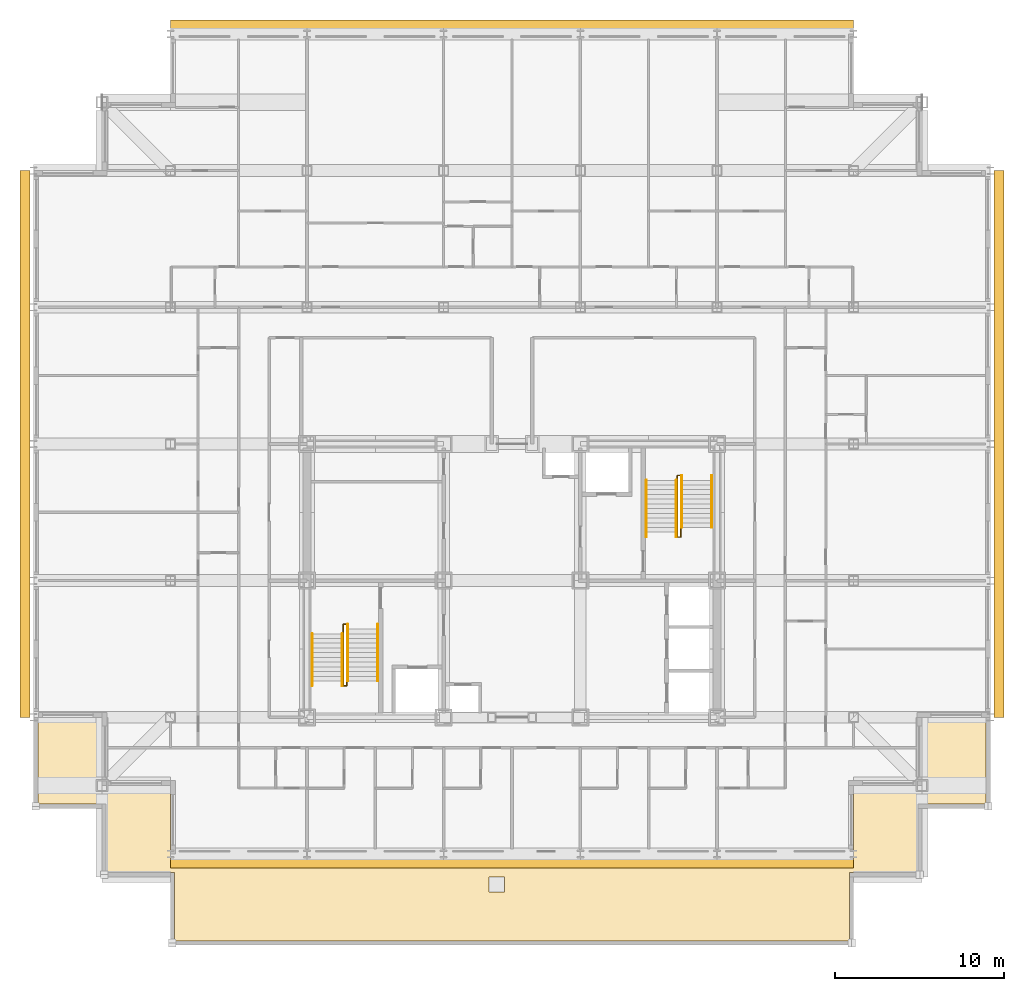
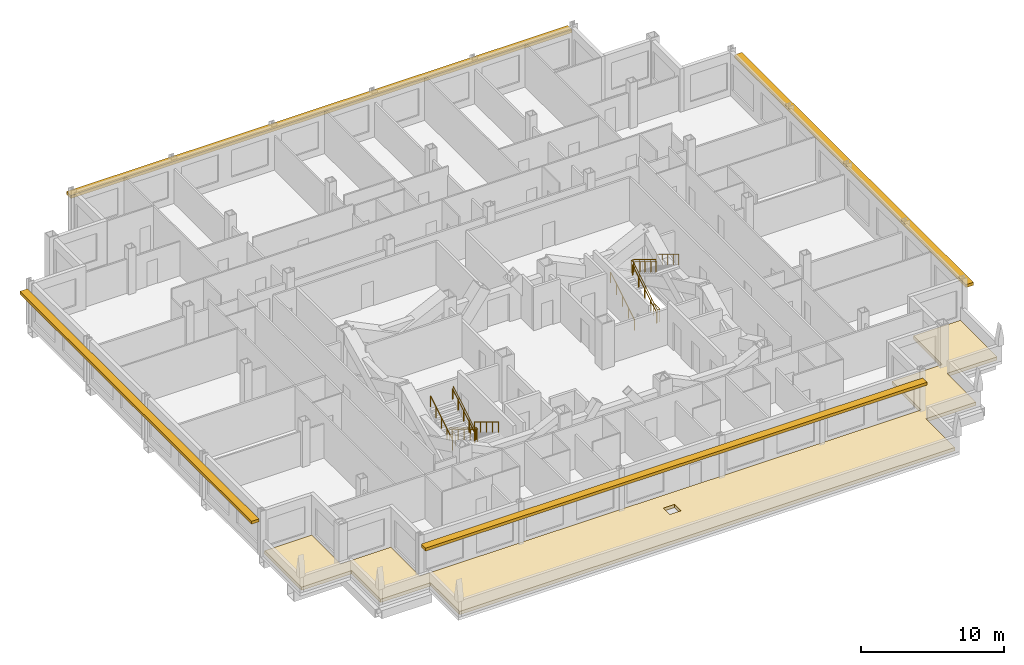
# One storey, part 15 of 15: 10 railings, 4 shading devices, 1 covering.
"""IFC4 building model written with IfcOpenShell, lengths in metres."""

from ifc_helpers import new_model, si_unit, direction, frame, origin, origin_2d, place, context, subcontext, project, spatial, polyline, rectangle, circle, outline, extrude, material, layer, layer_set, type_object, element, save


model = new_model("IFC4")

# Units and contexts
model_context = context("Model", 3, precision=1e-05, world=origin(), true_north=direction((0.0, 1.0)))
body_context = subcontext(model_context, "Body", "Model", "MODEL_VIEW")
ifc_project = project(units=[si_unit("LENGTHUNIT", "METRE"), si_unit("AREAUNIT", "SQUARE_METRE"), si_unit("VOLUMEUNIT", "CUBIC_METRE"), si_unit("PLANEANGLEUNIT", "RADIAN"), si_unit("MASSUNIT", "GRAM", prefix="KILO")], contexts=[model_context])

# Site, building, storey
site_placement = place(None, origin())
site = spatial("IfcSite", under=ifc_project, at=site_placement, CompositionType="ELEMENT")
building_placement = place(site_placement, origin())
building = spatial("IfcBuilding", under=site, at=building_placement, Name="Kopane Lantern Tower", CompositionType="ELEMENT")
storey_placement = place(building_placement, frame((0.0, 0.0, 242.39990234375)))
storey = spatial("IfcBuildingStorey", under=building, at=storey_placement, Name="L62", CompositionType="ELEMENT", Elevation=242.39990234375)

# Covering
ifc_material_1 = material(Name="Bitumen membrane and extruded polystyrene insulation", Category="bitumen")
ifc_layer = layer(ifc_material_1, 0.280029296875)
ifc_layer_set = layer_set([ifc_layer], Name="ROOF FINISH RF1 INVERTED 280")
covering_type = type_object("IfcCoveringType", Name="ROOF FINISH RF1 INVERTED 280", PredefinedType="ROOFING", material=ifc_layer_set)
covering_placement = place(storey_placement, origin())
element("IfcCovering", 1, at=covering_placement, inside=storey, type_object=covering_type, Name="Roof finish L62", PredefinedType="ROOFING", context=body_context, shape_type="SweptSolid", body=[
    extrude(outline(polyline([(4.050048828125, 24.300048828125), (0.25, 24.300048828125), (0.25, 19.14990234375), (4.300048828125, 19.14990234375), (4.300048828125, 15.10009765625), (8.35009765625, 15.10009765625), (8.35009765625, 11.050048828125), (48.35009765625, 11.050048828125), (48.35009765625, 15.10009765625), (52.39990234375, 15.10009765625), (52.39990234375, 19.14990234375), (56.449951171875, 19.14990234375), (56.449951171875, 24.300048828125), (52.64990234375, 24.300048828125), (52.64990234375, 20.25), (48.60009765625, 20.25), (48.60009765625, 16.199951171875), (8.10009765625, 16.199951171875), (8.10009765625, 20.25), (4.050048828125, 20.25), (4.050048828125, 24.300048828125)]), holes=[polyline([(27.89990234375, 14.85009765625), (27.89990234375, 13.949951171875), (27.0, 13.949951171875), (27.0, 14.85009765625), (27.89990234375, 14.85009765625)])]), origin(), (0.0, 0.0, 1.0), 0.280029296875),
])

# Railings
ifc_material_2 = material(Name="Steel", Category="steel")
railing_type_1 = type_object("IfcRailingType", Name="STAIR GUARD 1100", PredefinedType="GUARDRAIL", material=ifc_material_2)
railing_1_placement = place(storey_placement, frame((18.35009765625, 28.969970703125, 0.0)))
element("IfcRailing", 2, at=railing_1_placement, inside=storey, type_object=railing_type_1, Name="ST1 well guard L62", PredefinedType="GUARDRAIL", context=body_context, shape_type="SweptSolid", body=[
    extrude(circle(Radius=0.02392578125, at=origin_2d()), frame((0.0, 0.0, 1.076171875), z_axis=(0.0, 1.0, 0.0), x_axis=(-1.0, 0.0, 0.0)), (0.0, 0.0, 1.0), 0.840087890625),
    extrude(circle(Radius=0.02392578125, at=origin_2d()), frame((0.0, 0.840087890625, 1.076171875), z_axis=(1.0, 0.0, 0.0), x_axis=(0.0, 1.0, 0.0)), (0.0, 0.0, 1.0), 0.199951171875),
    extrude(circle(Radius=0.02392578125, at=origin_2d()), frame((0.199951171875, 0.840087890625, 1.076171875), z_axis=(0.0, -0.855368916264, 0.518019321155), x_axis=(1.0, 0.0, 0.0)), (0.0, 0.0, 1.0), 3.92822265625),
    extrude(circle(Radius=0.02392578125, at=origin_2d()), frame((0.199951171875, -2.52001953125, 3.11083984375), z_axis=(0.0, -1.0, 0.0), x_axis=(1.0, 0.0, 0.0)), (0.0, 0.0, 1.0), 0.280029296875),
    extrude(circle(Radius=0.02392578125, at=origin_2d()), frame((0.199951171875, -2.800048828125, 3.11083984375), z_axis=(-1.0, 0.0, 0.0), x_axis=(0.0, -1.0, 0.0)), (0.0, 0.0, 1.0), 0.199951171875),
    extrude(circle(Radius=0.02392578125, at=origin_2d()), frame((0.0, -2.800048828125, 3.11083984375), z_axis=(0.0, 0.855379917629, 0.518001154937), x_axis=(-1.0, 0.0, 0.0)), (0.0, 0.0, 1.0), 3.600830078125),
    extrude(circle(Radius=0.02099609375, at=origin_2d()), origin(), (0.0, 0.0, 1.0), 1.052001953125),
    extrude(circle(Radius=0.02099609375, at=origin_2d()), frame((0.0, 0.840087890625, 0.0)), (0.0, 0.0, 1.0), 1.052001953125),
    extrude(circle(Radius=0.02099609375, at=origin_2d()), frame((0.199951171875, 0.840087890625, 0.0)), (0.0, 0.0, 1.0), 1.052001953125),
    extrude(circle(Radius=0.02099609375, at=origin_2d()), frame((0.199951171875, 0.0, 0.5087890625)), (0.0, 0.0, 1.0), 1.052001953125),
    extrude(circle(Radius=0.02099609375, at=origin_2d()), frame((0.199951171875, -0.83984375, 1.017578125)), (0.0, 0.0, 1.0), 1.052001953125),
    extrude(circle(Radius=0.02099609375, at=origin_2d()), frame((0.199951171875, -1.679931640625, 1.526123046875)), (0.0, 0.0, 1.0), 1.052001953125),
    extrude(circle(Radius=0.02099609375, at=origin_2d()), frame((0.199951171875, -2.52001953125, 2.034912109375)), (0.0, 0.0, 1.0), 1.052001953125),
    extrude(circle(Radius=0.02099609375, at=origin_2d()), frame((0.199951171875, -2.800048828125, 2.034912109375)), (0.0, 0.0, 1.0), 1.052001953125),
    extrude(circle(Radius=0.02099609375, at=origin_2d()), frame((0.0, -2.800048828125, 2.034912109375)), (0.0, 0.0, 1.0), 1.052001953125),
    extrude(circle(Radius=0.02099609375, at=origin_2d()), frame((0.0, -2.030029296875, 2.501220703125)), (0.0, 0.0, 1.0), 1.052001953125),
    extrude(circle(Radius=0.02099609375, at=origin_2d()), frame((0.0, -1.260009765625, 2.967529296875)), (0.0, 0.0, 1.0), 1.052001953125),
    extrude(circle(Radius=0.02099609375, at=origin_2d()), frame((0.0, -0.489990234375, 3.433837890625)), (0.0, 0.0, 1.0), 1.052001953125),
    extrude(circle(Radius=0.02099609375, at=origin_2d()), frame((0.0, 0.280029296875, 3.900146484375)), (0.0, 0.0, 1.0), 1.052001953125),
])
railing_2_placement = place(storey_placement, frame((38.35009765625, 35.830078125, 0.0)))
element("IfcRailing", 3, at=railing_2_placement, inside=storey, type_object=railing_type_1, Name="ST2 well guard L62", PredefinedType="GUARDRAIL", context=body_context, shape_type="SweptSolid", body=[
    extrude(circle(Radius=0.02392578125, at=origin_2d()), frame((0.0, 0.0, 1.076171875), z_axis=(0.0, -1.0, 0.0), x_axis=(1.0, 0.0, 0.0)), (0.0, 0.0, 1.0), 0.840087890625),
    extrude(circle(Radius=0.02392578125, at=origin_2d()), frame((0.0, -0.840087890625, 1.076171875), z_axis=(-1.0, 0.0, 0.0), x_axis=(0.0, -1.0, 0.0)), (0.0, 0.0, 1.0), 0.2001953125),
    extrude(circle(Radius=0.02392578125, at=origin_2d()), frame((-0.2001953125, -0.840087890625, 1.076171875), z_axis=(0.0, 0.855368916264, 0.518019321155), x_axis=(-1.0, 0.0, 0.0)), (0.0, 0.0, 1.0), 3.92822265625),
    extrude(circle(Radius=0.02392578125, at=origin_2d()), frame((-0.2001953125, 2.52001953125, 3.11083984375), z_axis=(0.0, 1.0, 0.0), x_axis=(-1.0, 0.0, 0.0)), (0.0, 0.0, 1.0), 0.27978515625),
    extrude(circle(Radius=0.02392578125, at=origin_2d()), frame((-0.2001953125, 2.7998046875, 3.11083984375), z_axis=(1.0, 0.0, 0.0), x_axis=(0.0, 1.0, 0.0)), (0.0, 0.0, 1.0), 0.2001953125),
    extrude(circle(Radius=0.02392578125, at=origin_2d()), frame((0.0, 2.7998046875, 3.11083984375), z_axis=(0.0, -0.855361723277, 0.518031198243), x_axis=(1.0, 0.0, 0.0)), (0.0, 0.0, 1.0), 3.6005859375),
    extrude(circle(Radius=0.02099609375, at=origin_2d()), origin(), (0.0, 0.0, 1.0), 1.052001953125),
    extrude(circle(Radius=0.02099609375, at=origin_2d()), frame((0.0, -0.840087890625, 0.0)), (0.0, 0.0, 1.0), 1.052001953125),
    extrude(circle(Radius=0.02099609375, at=origin_2d()), frame((-0.2001953125, -0.840087890625, 0.0)), (0.0, 0.0, 1.0), 1.052001953125),
    extrude(circle(Radius=0.02099609375, at=origin_2d()), frame((-0.2001953125, 0.0, 0.5087890625)), (0.0, 0.0, 1.0), 1.052001953125),
    extrude(circle(Radius=0.02099609375, at=origin_2d()), frame((-0.2001953125, 0.83984375, 1.017578125)), (0.0, 0.0, 1.0), 1.052001953125),
    extrude(circle(Radius=0.02099609375, at=origin_2d()), frame((-0.2001953125, 1.679931640625, 1.526123046875)), (0.0, 0.0, 1.0), 1.052001953125),
    extrude(circle(Radius=0.02099609375, at=origin_2d()), frame((-0.2001953125, 2.52001953125, 2.034912109375)), (0.0, 0.0, 1.0), 1.052001953125),
    extrude(circle(Radius=0.02099609375, at=origin_2d()), frame((-0.2001953125, 2.7998046875, 2.034912109375)), (0.0, 0.0, 1.0), 1.052001953125),
    extrude(circle(Radius=0.02099609375, at=origin_2d()), frame((0.0, 2.7998046875, 2.034912109375)), (0.0, 0.0, 1.0), 1.052001953125),
    extrude(circle(Radius=0.02099609375, at=origin_2d()), frame((0.0, 2.02978515625, 2.501220703125)), (0.0, 0.0, 1.0), 1.052001953125),
    extrude(circle(Radius=0.02099609375, at=origin_2d()), frame((0.0, 1.259765625, 2.967529296875)), (0.0, 0.0, 1.0), 1.052001953125),
    extrude(circle(Radius=0.02099609375, at=origin_2d()), frame((0.0, 0.489990234375, 3.433837890625)), (0.0, 0.0, 1.0), 1.052001953125),
    extrude(circle(Radius=0.02099609375, at=origin_2d()), frame((0.0, -0.280029296875, 3.900146484375)), (0.0, 0.0, 1.0), 1.052001953125),
])
ifc_material_3 = material(Name="Steel", Category="steel")
railing_type_2 = type_object("IfcRailingType", Name="STAIR HANDRAIL 900", PredefinedType="HANDRAIL", material=ifc_material_3)
for number, where, name in (
    (4, (20.389892578125, 29.81005859375, 0.0), "ST1 handrail L62 flight 1"),
    (5, (18.610107421875, 29.81005859375, 0.0), "ST1 handrail L62 flight 1"),
):
    element("IfcRailing", number, at=place(storey_placement, frame(where)), inside=storey, type_object=railing_type_2, Name=name, PredefinedType="HANDRAIL", context=body_context, shape_type="SweptSolid", body=[
        extrude(circle(Radius=0.02392578125, at=origin_2d()), frame((0.0, 0.0, 0.8759765625), z_axis=(0.0, -0.855368916264, 0.518019321155), x_axis=(1.0, 0.0, 0.0)), (0.0, 0.0, 1.0), 3.92822265625),
        extrude(circle(Radius=0.02099609375, at=origin_2d()), origin(), (0.0, 0.0, 1.0), 0.851806640625),
        extrude(circle(Radius=0.02099609375, at=origin_2d()), frame((0.0, -0.840087890625, 0.5087890625)), (0.0, 0.0, 1.0), 0.851806640625),
        extrude(circle(Radius=0.02099609375, at=origin_2d()), frame((0.0, -1.68017578125, 1.017578125)), (0.0, 0.0, 1.0), 0.851806640625),
        extrude(circle(Radius=0.02099609375, at=origin_2d()), frame((0.0, -2.52001953125, 1.526123046875)), (0.0, 0.0, 1.0), 0.851806640625),
        extrude(circle(Radius=0.02099609375, at=origin_2d()), frame((0.0, -3.360107421875, 2.034912109375)), (0.0, 0.0, 1.0), 0.851806640625),
    ])
for number, where, name in (
    (6, (16.510009765625, 26.169921875, 2.034912109375), "ST1 handrail L62 flight 2"),
    (7, (18.2900390625, 26.169921875, 2.034912109375), "ST1 handrail L62 flight 2"),
):
    element("IfcRailing", number, at=place(storey_placement, frame(where)), inside=storey, type_object=railing_type_2, Name=name, PredefinedType="HANDRAIL", context=body_context, shape_type="SweptSolid", body=[
        extrude(circle(Radius=0.02392578125, at=origin_2d()), frame((0.0, 0.0, 0.8759765625), z_axis=(0.0, 0.855379917629, 0.518001154937), x_axis=(-1.0, 0.0, 0.0)), (0.0, 0.0, 1.0), 3.600830078125),
        extrude(circle(Radius=0.02099609375, at=origin_2d()), origin(), (0.0, 0.0, 1.0), 0.851806640625),
        extrude(circle(Radius=0.02099609375, at=origin_2d()), frame((0.0, 0.77001953125, 0.46630859375)), (0.0, 0.0, 1.0), 0.851806640625),
        extrude(circle(Radius=0.02099609375, at=origin_2d()), frame((0.0, 1.5400390625, 0.9326171875)), (0.0, 0.0, 1.0), 0.851806640625),
        extrude(circle(Radius=0.02099609375, at=origin_2d()), frame((0.0, 2.31005859375, 1.39892578125)), (0.0, 0.0, 1.0), 0.851806640625),
        extrude(circle(Radius=0.02099609375, at=origin_2d()), frame((0.0, 3.080078125, 1.865234375)), (0.0, 0.0, 1.0), 0.851806640625),
    ])
for number, where, name in (
    (8, (36.31005859375, 34.989990234375, 0.0), "ST2 handrail L62 flight 1"),
    (9, (38.090087890625, 34.989990234375, 0.0), "ST2 handrail L62 flight 1"),
):
    element("IfcRailing", number, at=place(storey_placement, frame(where)), inside=storey, type_object=railing_type_2, Name=name, PredefinedType="HANDRAIL", context=body_context, shape_type="SweptSolid", body=[
        extrude(circle(Radius=0.02392578125, at=origin_2d()), frame((0.0, 0.0, 0.8759765625), z_axis=(0.0, 0.855368916264, 0.518019321155), x_axis=(-1.0, 0.0, 0.0)), (0.0, 0.0, 1.0), 3.92822265625),
        extrude(circle(Radius=0.02099609375, at=origin_2d()), origin(), (0.0, 0.0, 1.0), 0.851806640625),
        extrude(circle(Radius=0.02099609375, at=origin_2d()), frame((0.0, 0.840087890625, 0.5087890625)), (0.0, 0.0, 1.0), 0.851806640625),
        extrude(circle(Radius=0.02099609375, at=origin_2d()), frame((0.0, 1.68017578125, 1.017578125)), (0.0, 0.0, 1.0), 0.851806640625),
        extrude(circle(Radius=0.02099609375, at=origin_2d()), frame((0.0, 2.52001953125, 1.526123046875)), (0.0, 0.0, 1.0), 0.851806640625),
        extrude(circle(Radius=0.02099609375, at=origin_2d()), frame((0.0, 3.360107421875, 2.034912109375)), (0.0, 0.0, 1.0), 0.851806640625),
    ])
for number, where, name in (
    (10, (40.18994140625, 38.6298828125, 2.034912109375), "ST2 handrail L62 flight 2"),
    (11, (38.409912109375, 38.6298828125, 2.034912109375), "ST2 handrail L62 flight 2"),
):
    element("IfcRailing", number, at=place(storey_placement, frame(where)), inside=storey, type_object=railing_type_2, Name=name, PredefinedType="HANDRAIL", context=body_context, shape_type="SweptSolid", body=[
        extrude(circle(Radius=0.02392578125, at=origin_2d()), frame((0.0, 0.0, 0.8759765625), z_axis=(0.0, -0.855361723277, 0.518031198243), x_axis=(1.0, 0.0, 0.0)), (0.0, 0.0, 1.0), 3.6005859375),
        extrude(circle(Radius=0.02099609375, at=origin_2d()), origin(), (0.0, 0.0, 1.0), 0.851806640625),
        extrude(circle(Radius=0.02099609375, at=origin_2d()), frame((0.0, -0.77001953125, 0.46630859375)), (0.0, 0.0, 1.0), 0.851806640625),
        extrude(circle(Radius=0.02099609375, at=origin_2d()), frame((0.0, -1.5400390625, 0.9326171875)), (0.0, 0.0, 1.0), 0.851806640625),
        extrude(circle(Radius=0.02099609375, at=origin_2d()), frame((0.0, -2.309814453125, 1.39892578125)), (0.0, 0.0, 1.0), 0.851806640625),
        extrude(circle(Radius=0.02099609375, at=origin_2d()), frame((0.0, -3.079833984375, 1.865234375)), (0.0, 0.0, 1.0), 0.851806640625),
    ])

# Shading devices
ifc_material_4 = material(Name="Terracotta rainscreen on light steel framing", Category="masonry")
shading_device_type = type_object("IfcShadingDeviceType", Name="SUNSHADE BAND SB1 600 TERRACOTTA", PredefinedType="USERDEFINED", material=ifc_material_4)
shading_device_1_placement = place(storey_placement, frame((28.35009765625, 15.672119140625, 2.900146484375), z_axis=(0.0, 0.0, 1.0), x_axis=(1.0, 0.0, 0.0)))
element("IfcShadingDevice", 12, at=shading_device_1_placement, inside=storey, type_object=shading_device_type, Name="Sunshade band S L62", ObjectType="SUNSHADE BAND", PredefinedType="USERDEFINED", context=body_context, shape_type="SweptSolid", body=[
    extrude(rectangle(XDim=40.5, YDim=0.60009765625, at=origin_2d()), origin(), (0.0, 0.0, 1.0), 0.25),
])
shading_device_2_placement = place(storey_placement, frame((57.209228515625, 40.5, 2.900146484375), z_axis=(0.0, 0.0, 1.0), x_axis=(0.0, 1.0, 0.0)))
element("IfcShadingDevice", 13, at=shading_device_2_placement, inside=storey, type_object=shading_device_type, Name="Sunshade band E L62", ObjectType="SUNSHADE BAND", PredefinedType="USERDEFINED", context=body_context, shape_type="SweptSolid", body=[
    extrude(rectangle(XDim=32.39990234375, YDim=0.60009765625, at=origin_2d()), origin(), (0.0, 0.0, 1.0), 0.25),
])
shading_device_3_placement = place(storey_placement, frame((28.35009765625, 65.327880859375, 2.900146484375), z_axis=(0.0, 0.0, 1.0), x_axis=(-1.0, 0.0, 0.0)))
element("IfcShadingDevice", 14, at=shading_device_3_placement, inside=storey, type_object=shading_device_type, Name="Sunshade band N L62", ObjectType="SUNSHADE BAND", PredefinedType="USERDEFINED", context=body_context, shape_type="SweptSolid", body=[
    extrude(rectangle(XDim=40.5, YDim=0.60009765625, at=origin_2d()), origin(), (0.0, 0.0, 1.0), 0.25),
])
shading_device_4_placement = place(storey_placement, frame((-0.50927734375, 40.5, 2.900146484375), z_axis=(0.0, 0.0, 1.0), x_axis=(0.0, -1.0, 0.0)))
element("IfcShadingDevice", 15, at=shading_device_4_placement, inside=storey, type_object=shading_device_type, Name="Sunshade band W L62", ObjectType="SUNSHADE BAND", PredefinedType="USERDEFINED", context=body_context, shape_type="SweptSolid", body=[
    extrude(rectangle(XDim=32.39990234375, YDim=0.60009765625, at=origin_2d()), origin(), (0.0, 0.0, 1.0), 0.25),
])

save(model, "model.ifc")
